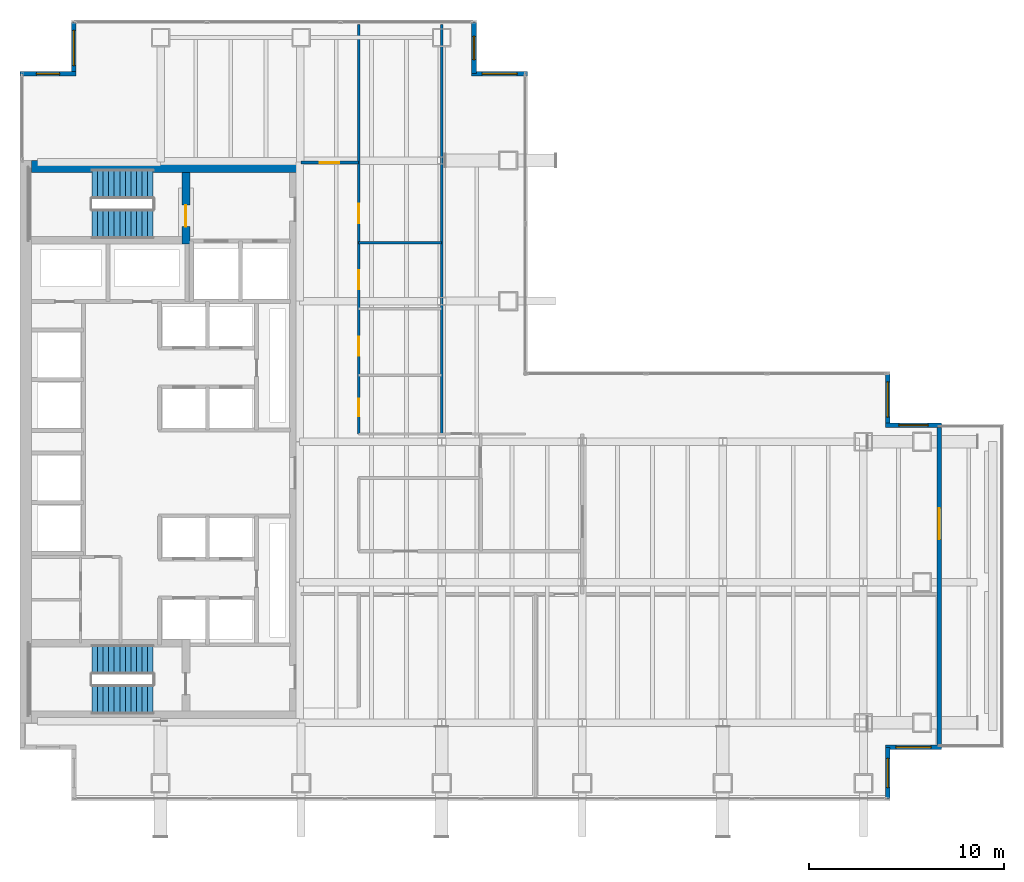
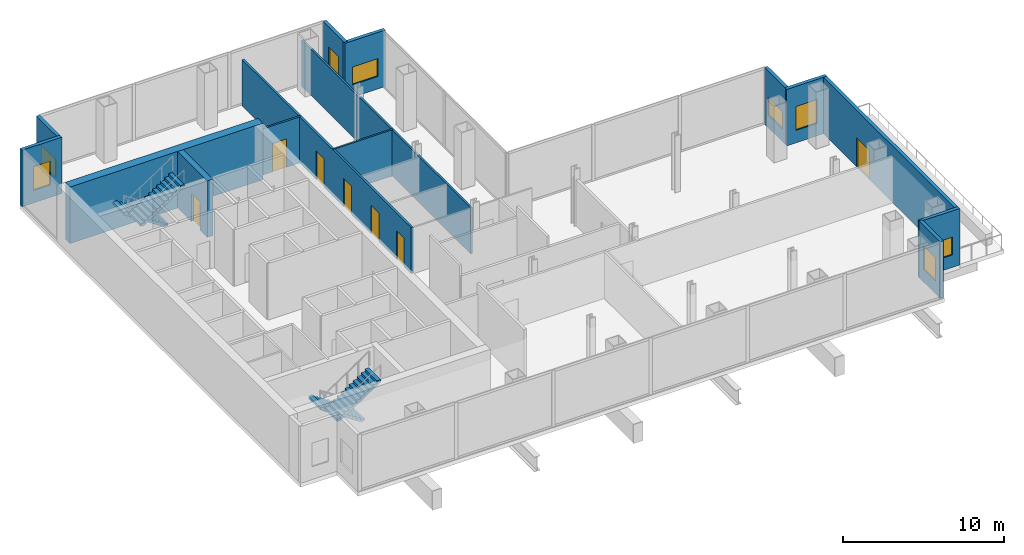
# One storey, part 15 of 16: 15 walls, 8 windows, 7 doors, 4 stair flights, 15 openings, 2 elements without a shape of their own.
"""IFC4 building model written with IfcOpenShell, lengths in metres."""

from ifc_helpers import new_model, si_unit, direction, frame, frame_2d, origin, place, context, subcontext, project, spatial, polyline, rectangle, outline, extrude, material, layer, layer_set, type_object, element, fill, aggregate, save


model = new_model("IFC4")

# Units and contexts
model_context = context("Model", 3, precision=1e-05, world=origin(), true_north=direction((0.0, 1.0)))
body_context = subcontext(model_context, "Body", "Model", "MODEL_VIEW")
ifc_project = project(units=[si_unit("LENGTHUNIT", "METRE"), si_unit("AREAUNIT", "SQUARE_METRE"), si_unit("VOLUMEUNIT", "CUBIC_METRE"), si_unit("PLANEANGLEUNIT", "RADIAN"), si_unit("MASSUNIT", "GRAM", prefix="KILO")], contexts=[model_context])

# Site, building, storey
site_placement = place(None, origin())
site = spatial("IfcSite", under=ifc_project, at=site_placement, CompositionType="ELEMENT")
building_placement = place(site_placement, origin())
building = spatial("IfcBuilding", under=site, at=building_placement, Name="Cobrela Telecom Tower", CompositionType="ELEMENT")
storey_placement = place(building_placement, frame((0.0, 0.0, 97.64990234375)))
storey = spatial("IfcBuildingStorey", under=building, at=storey_placement, Name="L24", CompositionType="ELEMENT", Elevation=97.64990234375)

# Wall
ifc_material_1 = material(Name="Concrete C50/60", Category="concrete")
ifc_layer_1 = layer(ifc_material_1, 0.60009765625)
ifc_layer_set_1 = layer_set([ifc_layer_1], Name="Concrete C50/60")
wall_type_1 = type_object("IfcWallType", Name="WALL-CORE-C50-600", PredefinedType="SHEAR", material=ifc_layer_set_1)
wall_1_placement = place(storey_placement, frame((0.60009765625, 35.699951171875, 0.0), z_axis=(0.0, 0.0, 1.0), x_axis=(1.0, 0.0, 0.0)))
element("IfcWall", 1, at=wall_1_placement, inside=storey, type_object=wall_type_1, Name="L24 North Core Shear Wall", PredefinedType="SHEAR", context=body_context, shape_type="SweptSolid", body=[
    extrude(rectangle(XDim=13.7998046875, YDim=0.60009765625, at=frame_2d((6.89990234375, 0.0))), origin(), (0.0, 0.0, 1.0), 4.280029296875),
])

# Wall, opening, window
ifc_material_2 = material(Name="Concrete C40/50", Category="concrete")
ifc_layer_2 = layer(ifc_material_2, 0.239990234375)
ifc_layer_set_2 = layer_set([ifc_layer_2], Name="Concrete C40/50")
wall_type_2 = type_object("IfcWallType", Name="WALL-EXT-300", PredefinedType="STANDARD", material=ifc_layer_set_2)
wall_2_placement = place(storey_placement, frame((0.0, 40.449951171875, 0.0), z_axis=(0.0, 0.0, 1.0), x_axis=(1.0, 0.0, 0.0)))
wall_2 = element("IfcWall", 2, at=wall_2_placement, inside=storey, type_object=wall_type_2, Name="L24 Insulated Facade Wall 05", PredefinedType="STANDARD", context=body_context, shape_type="SweptSolid", body=[
    extrude(rectangle(XDim=2.8701171875, YDim=0.239990234375, at=frame_2d((1.43505859375, 0.0))), origin(), (0.0, 0.0, 1.0), 4.280029296875),
])
opening_1_placement = place(wall_2_placement, frame((0.8349609375, 0.0, 0.949951171875)))
opening_1 = element("IfcOpeningElement", 3, at=opening_1_placement, cuts=wall_2, Name="Opening WN-19", PredefinedType="OPENING", context=body_context, shape_type="SweptSolid", body=[
    extrude(rectangle(XDim=1.199951171875, YDim=1.800048828125, at=frame_2d((0.60009765625, 0.89990234375))), frame((0.0, 0.1318359375, 0.0), z_axis=(0.0, -1.0, 0.0), x_axis=(1.0, 0.0, 0.0)), (0.0, 0.0, 1.0), 0.263916015625),
])
ifc_material_3 = material(Name="Solar-Control Bronze Low-E Glass", Category="glass")
window_type_1 = type_object("IfcWindowType", Name="WIN-MOD-1200", PartitioningType="SINGLE_PANEL", PredefinedType="WINDOW", material=ifc_material_3)
window_1_placement = place(opening_1_placement, origin())
window_1 = element("IfcWindow", 4, at=window_1_placement, inside=storey, type_object=window_type_1, Name="L24 Corner Notch Facade Window 112", OverallHeight=1.800048828125, OverallWidth=1.199951171875, PartitioningType="SINGLE_PANEL", PredefinedType="WINDOW", context=body_context, shape_type="SweptSolid", body=[
    extrude(rectangle(XDim=1.199951171875, YDim=1.800048828125, at=frame_2d((0.60009765625, 0.89990234375))), frame((0.0, 0.030029296875, 0.0), z_axis=(0.0, -1.0, 0.0), x_axis=(1.0, 0.0, 0.0)), (0.0, 0.0, 1.0), 0.06005859375),
])
fill(opening_1, window_1)

wall_3_placement = place(storey_placement, frame((2.75, 40.449951171875, 0.0), z_axis=(0.0, 0.0, 1.0), x_axis=(0.0, 1.0, 0.0)))
wall_3 = element("IfcWall", 5, at=wall_3_placement, inside=storey, type_object=wall_type_2, Name="L24 Insulated Facade Wall 06", PredefinedType="STANDARD", context=body_context, shape_type="SweptSolid", body=[
    extrude(rectangle(XDim=2.630126953125, YDim=0.239990234375, at=frame_2d((1.31494140625, 0.0))), origin(), (0.0, 0.0, 1.0), 4.280029296875),
])
opening_2_placement = place(wall_3_placement, frame((0.4150390625, 0.0, 0.949951171875)))
opening_2 = element("IfcOpeningElement", 6, at=opening_2_placement, cuts=wall_3, Name="Opening WN-27", PredefinedType="OPENING", context=body_context, shape_type="SweptSolid", body=[
    extrude(rectangle(XDim=1.800048828125, YDim=1.35009765625, at=frame_2d((0.89990234375, 0.675048828125))), frame((0.0, 0.1318359375, 0.0), z_axis=(0.0, -1.0, 0.0), x_axis=(1.0, 0.0, 0.0)), (0.0, 0.0, 1.0), 0.263916015625),
])
window_type_2 = type_object("IfcWindowType", Name="WIN-CLER-1800", PartitioningType="SINGLE_PANEL", PredefinedType="WINDOW", material=ifc_material_3)
window_2_placement = place(opening_2_placement, origin())
window_2 = element("IfcWindow", 7, at=window_2_placement, inside=storey, type_object=window_type_2, Name="L24 Corner Notch Facade Window 113", OverallHeight=1.35009765625, OverallWidth=1.800048828125, PartitioningType="SINGLE_PANEL", PredefinedType="WINDOW", context=body_context, shape_type="SweptSolid", body=[
    extrude(rectangle(XDim=1.800048828125, YDim=1.35009765625, at=frame_2d((0.89990234375, 0.675048828125))), frame((0.0, 0.030029296875, 0.0), z_axis=(0.0, -1.0, 0.0), x_axis=(1.0, 0.0, 0.0)), (0.0, 0.0, 1.0), 0.06005859375),
])
fill(opening_2, window_2)

wall_4_placement = place(storey_placement, frame((23.25, 43.080078125, 0.0), z_axis=(0.0, 0.0, 1.0), x_axis=(0.0, -1.0, 0.0)))
wall_4 = element("IfcWall", 8, at=wall_4_placement, inside=storey, type_object=wall_type_2, Name="L24 Insulated Facade Wall 08", PredefinedType="STANDARD", context=body_context, shape_type="SweptSolid", body=[
    extrude(rectangle(XDim=2.630126953125, YDim=0.239990234375, at=frame_2d((1.31494140625, 0.0))), origin(), (0.0, 0.0, 1.0), 4.280029296875),
])
opening_3_placement = place(wall_4_placement, frame((0.715087890625, 0.0, 0.949951171875)))
opening_3 = element("IfcOpeningElement", 9, at=opening_3_placement, cuts=wall_4, Name="Opening WN-19", PredefinedType="OPENING", context=body_context, shape_type="SweptSolid", body=[
    extrude(rectangle(XDim=1.199951171875, YDim=1.800048828125, at=frame_2d((0.60009765625, 0.89990234375))), frame((0.0, 0.1318359375, 0.0), z_axis=(0.0, -1.0, 0.0), x_axis=(1.0, 0.0, 0.0)), (0.0, 0.0, 1.0), 0.263916015625),
])
window_3_placement = place(opening_3_placement, origin())
window_3 = element("IfcWindow", 10, at=window_3_placement, inside=storey, type_object=window_type_1, Name="L24 Corner Notch Facade Window 114", OverallHeight=1.800048828125, OverallWidth=1.199951171875, PartitioningType="SINGLE_PANEL", PredefinedType="WINDOW", context=body_context, shape_type="SweptSolid", body=[
    extrude(rectangle(XDim=1.199951171875, YDim=1.800048828125, at=frame_2d((0.60009765625, 0.89990234375))), frame((0.0, 0.030029296875, 0.0), z_axis=(0.0, -1.0, 0.0), x_axis=(1.0, 0.0, 0.0)), (0.0, 0.0, 1.0), 0.06005859375),
])
fill(opening_3, window_3)

wall_5_placement = place(storey_placement, frame((23.1298828125, 40.449951171875, 0.0), z_axis=(0.0, 0.0, 1.0), x_axis=(1.0, 0.0, 0.0)))
wall_5 = element("IfcWall", 11, at=wall_5_placement, inside=storey, type_object=wall_type_2, Name="L24 Insulated Facade Wall 09", PredefinedType="STANDARD", context=body_context, shape_type="SweptSolid", body=[
    extrude(rectangle(XDim=2.8701171875, YDim=0.239990234375, at=frame_2d((1.43505859375, 0.0))), origin(), (0.0, 0.0, 1.0), 4.280029296875),
])
opening_4_placement = place(wall_5_placement, frame((0.534912109375, 0.0, 0.949951171875)))
opening_4 = element("IfcOpeningElement", 12, at=opening_4_placement, cuts=wall_5, Name="Opening WN-27", PredefinedType="OPENING", context=body_context, shape_type="SweptSolid", body=[
    extrude(rectangle(XDim=1.800048828125, YDim=1.35009765625, at=frame_2d((0.89990234375, 0.675048828125))), frame((0.0, 0.1318359375, 0.0), z_axis=(0.0, -1.0, 0.0), x_axis=(1.0, 0.0, 0.0)), (0.0, 0.0, 1.0), 0.263916015625),
])
window_4_placement = place(opening_4_placement, origin())
window_4 = element("IfcWindow", 13, at=window_4_placement, inside=storey, type_object=window_type_2, Name="L24 Corner Notch Facade Window 115", OverallHeight=1.35009765625, OverallWidth=1.800048828125, PartitioningType="SINGLE_PANEL", PredefinedType="WINDOW", context=body_context, shape_type="SweptSolid", body=[
    extrude(rectangle(XDim=1.800048828125, YDim=1.35009765625, at=frame_2d((0.89990234375, 0.675048828125))), frame((0.0, 0.030029296875, 0.0), z_axis=(0.0, -1.0, 0.0), x_axis=(1.0, 0.0, 0.0)), (0.0, 0.0, 1.0), 0.06005859375),
])
fill(opening_4, window_4)

wall_6_placement = place(storey_placement, frame((44.449951171875, 25.080078125, 0.0), z_axis=(0.0, 0.0, 1.0), x_axis=(0.0, -1.0, 0.0)))
wall_6 = element("IfcWall", 14, at=wall_6_placement, inside=storey, type_object=wall_type_2, Name="L24 Insulated Facade Wall 12", PredefinedType="STANDARD", context=body_context, shape_type="SweptSolid", body=[
    extrude(rectangle(XDim=2.630126953125, YDim=0.239990234375, at=frame_2d((1.31494140625, 0.0))), origin(), (0.0, 0.0, 1.0), 4.280029296875),
])
opening_5_placement = place(wall_6_placement, frame((0.4150390625, 0.0, 0.949951171875)))
opening_5 = element("IfcOpeningElement", 15, at=opening_5_placement, cuts=wall_6, Name="Opening WN-27", PredefinedType="OPENING", context=body_context, shape_type="SweptSolid", body=[
    extrude(rectangle(XDim=1.800048828125, YDim=1.35009765625, at=frame_2d((0.89990234375, 0.675048828125))), frame((0.0, 0.1318359375, 0.0), z_axis=(0.0, -1.0, 0.0), x_axis=(1.0, 0.0, 0.0)), (0.0, 0.0, 1.0), 0.263916015625),
])
window_5_placement = place(opening_5_placement, origin())
window_5 = element("IfcWindow", 16, at=window_5_placement, inside=storey, type_object=window_type_2, Name="L24 Corner Notch Facade Window 116", OverallHeight=1.35009765625, OverallWidth=1.800048828125, PartitioningType="SINGLE_PANEL", PredefinedType="WINDOW", context=body_context, shape_type="SweptSolid", body=[
    extrude(rectangle(XDim=1.800048828125, YDim=1.35009765625, at=frame_2d((0.89990234375, 0.675048828125))), frame((0.0, 0.030029296875, 0.0), z_axis=(0.0, -1.0, 0.0), x_axis=(1.0, 0.0, 0.0)), (0.0, 0.0, 1.0), 0.06005859375),
])
fill(opening_5, window_5)

wall_7_placement = place(storey_placement, frame((44.330078125, 22.449951171875, 0.0), z_axis=(0.0, 0.0, 1.0), x_axis=(1.0, 0.0, 0.0)))
wall_7 = element("IfcWall", 17, at=wall_7_placement, inside=storey, type_object=wall_type_2, Name="L24 Insulated Facade Wall 13", PredefinedType="STANDARD", context=body_context, shape_type="SweptSolid", body=[
    extrude(rectangle(XDim=2.869873046875, YDim=0.239990234375, at=frame_2d((1.43505859375, 0.0))), origin(), (0.0, 0.0, 1.0), 4.280029296875),
])
opening_6_placement = place(wall_7_placement, frame((0.68505859375, 0.0, 0.949951171875)))
opening_6 = element("IfcOpeningElement", 18, at=opening_6_placement, cuts=wall_7, Name="Opening WN-45", PredefinedType="OPENING", context=body_context, shape_type="SweptSolid", body=[
    extrude(rectangle(XDim=1.5, YDim=1.800048828125, at=frame_2d((0.75, 0.89990234375))), frame((0.0, 0.1318359375, 0.0), z_axis=(0.0, -1.0, 0.0), x_axis=(1.0, 0.0, 0.0)), (0.0, 0.0, 1.0), 0.263916015625),
])
window_type_3 = type_object("IfcWindowType", Name="WIN-MOD-1500", PartitioningType="SINGLE_PANEL", PredefinedType="WINDOW", material=ifc_material_3)
window_6_placement = place(opening_6_placement, origin())
window_6 = element("IfcWindow", 19, at=window_6_placement, inside=storey, type_object=window_type_3, Name="L24 Corner Notch Facade Window 117", OverallHeight=1.800048828125, OverallWidth=1.5, PartitioningType="SINGLE_PANEL", PredefinedType="WINDOW", context=body_context, shape_type="SweptSolid", body=[
    extrude(rectangle(XDim=1.5, YDim=1.800048828125, at=frame_2d((0.75, 0.89990234375))), frame((0.0, 0.030029296875, 0.0), z_axis=(0.0, -1.0, 0.0), x_axis=(1.0, 0.0, 0.0)), (0.0, 0.0, 1.0), 0.06005859375),
])
fill(opening_6, window_6)

# Wall, opening, door
wall_8_placement = place(storey_placement, frame((47.080078125, 22.449951171875, 0.0), z_axis=(0.0, 0.0, 1.0), x_axis=(0.0, -1.0, 0.0)))
wall_8 = element("IfcWall", 20, at=wall_8_placement, inside=storey, type_object=wall_type_2, Name="L24 Insulated Facade Wall 14", PredefinedType="STANDARD", context=body_context, shape_type="SweptSolid", body=[
    extrude(rectangle(XDim=16.5, YDim=0.239990234375, at=frame_2d((8.25, 0.0))), origin(), (0.0, 0.0, 1.0), 4.280029296875),
])
opening_7_placement = place(wall_8_placement, frame((4.25, 0.0, 0.0)))
opening_7 = element("IfcOpeningElement", 21, at=opening_7_placement, cuts=wall_8, Name="Opening ED-2", PredefinedType="OPENING", context=body_context, shape_type="SweptSolid", body=[
    extrude(rectangle(XDim=1.60009765625, YDim=2.199951171875, at=frame_2d((0.800048828125, 1.10009765625))), frame((0.0, 0.1318359375, 0.0), z_axis=(0.0, -1.0, 0.0), x_axis=(1.0, 0.0, 0.0)), (0.0, 0.0, 1.0), 0.263916015625),
])
ifc_material_4 = material(Name="Anodized Bronze Aluminium 6063-T6", Category="aluminium")
door_type_1 = type_object("IfcDoorType", Name="DOOR-EXT-TERR-1600", OperationType="SINGLE_SWING_LEFT", PredefinedType="DOOR", material=ifc_material_4)
door_1_placement = place(opening_7_placement, origin())
door_1 = element("IfcDoor", 22, at=door_1_placement, inside=storey, type_object=door_type_1, Name="L24 Door ED-2", OperationType="DOUBLE_DOOR_SINGLE_SWING", OverallHeight=2.199951171875, OverallWidth=1.60009765625, PredefinedType="DOOR", context=body_context, shape_type="SweptSolid", body=[
    extrude(rectangle(XDim=1.60009765625, YDim=2.199951171875, at=frame_2d((0.800048828125, 1.10009765625))), frame((0.0, 0.02490234375, 0.0), z_axis=(0.0, -1.0, 0.0), x_axis=(1.0, 0.0, 0.0)), (0.0, 0.0, 1.0), 0.050048828125),
])
fill(opening_7, door_1)

# Wall, opening, window
wall_9_placement = place(storey_placement, frame((47.199951171875, 5.949951171875, 0.0), z_axis=(0.0, 0.0, 1.0), x_axis=(-1.0, 0.0, 0.0)))
wall_9 = element("IfcWall", 23, at=wall_9_placement, inside=storey, type_object=wall_type_2, Name="L24 Insulated Facade Wall 15", PredefinedType="STANDARD", context=body_context, shape_type="SweptSolid", body=[
    extrude(rectangle(XDim=2.869873046875, YDim=0.239990234375, at=frame_2d((1.43505859375, 0.0))), origin(), (0.0, 0.0, 1.0), 4.280029296875),
])
opening_8_placement = place(wall_9_placement, frame((0.534912109375, 0.0, 0.949951171875)))
opening_8 = element("IfcOpeningElement", 24, at=opening_8_placement, cuts=wall_9, Name="Opening WN-27", PredefinedType="OPENING", context=body_context, shape_type="SweptSolid", body=[
    extrude(rectangle(XDim=1.800048828125, YDim=1.35009765625, at=frame_2d((0.89990234375, 0.675048828125))), frame((0.0, 0.1318359375, 0.0), z_axis=(0.0, -1.0, 0.0), x_axis=(1.0, 0.0, 0.0)), (0.0, 0.0, 1.0), 0.263916015625),
])
window_7_placement = place(opening_8_placement, origin())
window_7 = element("IfcWindow", 25, at=window_7_placement, inside=storey, type_object=window_type_2, Name="L24 Corner Notch Facade Window 118", OverallHeight=1.35009765625, OverallWidth=1.800048828125, PartitioningType="SINGLE_PANEL", PredefinedType="WINDOW", context=body_context, shape_type="SweptSolid", body=[
    extrude(rectangle(XDim=1.800048828125, YDim=1.35009765625, at=frame_2d((0.89990234375, 0.675048828125))), frame((0.0, 0.030029296875, 0.0), z_axis=(0.0, -1.0, 0.0), x_axis=(1.0, 0.0, 0.0)), (0.0, 0.0, 1.0), 0.06005859375),
])
fill(opening_8, window_7)

wall_10_placement = place(storey_placement, frame((44.449951171875, 5.949951171875, 0.0), z_axis=(0.0, 0.0, 1.0), x_axis=(0.0, -1.0, 0.0)))
wall_10 = element("IfcWall", 26, at=wall_10_placement, inside=storey, type_object=wall_type_2, Name="L24 Insulated Facade Wall 16", PredefinedType="STANDARD", context=body_context, shape_type="SweptSolid", body=[
    extrude(rectangle(XDim=2.6298828125, YDim=0.239990234375, at=frame_2d((1.31494140625, 0.0))), origin(), (0.0, 0.0, 1.0), 4.280029296875),
])
opening_9_placement = place(wall_10_placement, frame((0.56494140625, 0.0, 0.949951171875)))
opening_9 = element("IfcOpeningElement", 27, at=opening_9_placement, cuts=wall_10, Name="Opening WN-45", PredefinedType="OPENING", context=body_context, shape_type="SweptSolid", body=[
    extrude(rectangle(XDim=1.5, YDim=1.800048828125, at=frame_2d((0.75, 0.89990234375))), frame((0.0, 0.1318359375, 0.0), z_axis=(0.0, -1.0, 0.0), x_axis=(1.0, 0.0, 0.0)), (0.0, 0.0, 1.0), 0.263916015625),
])
window_8_placement = place(opening_9_placement, origin())
window_8 = element("IfcWindow", 28, at=window_8_placement, inside=storey, type_object=window_type_3, Name="L24 Corner Notch Facade Window 119", OverallHeight=1.800048828125, OverallWidth=1.5, PartitioningType="SINGLE_PANEL", PredefinedType="WINDOW", context=body_context, shape_type="SweptSolid", body=[
    extrude(rectangle(XDim=1.5, YDim=1.800048828125, at=frame_2d((0.75, 0.89990234375))), frame((0.0, 0.030029296875, 0.0), z_axis=(0.0, -1.0, 0.0), x_axis=(1.0, 0.0, 0.0)), (0.0, 0.0, 1.0), 0.06005859375),
])
fill(opening_9, window_8)

# Wall
ifc_material_5 = material(Name="Fire-Rated Gypsum Plasterboard")
ifc_layer_3 = layer(ifc_material_5, 0.125)
ifc_layer_set_3 = layer_set([ifc_layer_3], Name="Fire-Rated Gypsum Plasterboard")
wall_type_3 = type_object("IfcWallType", Name="WALL-PART-125", PredefinedType="PARTITIONING", material=ifc_layer_set_3)
wall_11_placement = place(storey_placement, frame((17.35009765625, 31.800048828125, 0.0), z_axis=(0.0, 0.0, 1.0), x_axis=(1.0, 0.0, 0.0)))
element("IfcWall", 29, at=wall_11_placement, inside=storey, type_object=wall_type_3, Name="L24 Interior Partition W-SKWC-3", PredefinedType="PARTITIONING", context=body_context, shape_type="SweptSolid", body=[
    extrude(rectangle(XDim=4.25, YDim=0.125, at=frame_2d((2.125, 0.0))), origin(), (0.0, 0.0, 1.0), 3.4931640625),
])

# Wall, opening, door
ifc_layer_4 = layer(ifc_material_5, 0.135009765625)
ifc_layer_set_4 = layer_set([ifc_layer_4], Name="Fire-Rated Gypsum Plasterboard")
wall_type_4 = type_object("IfcWallType", Name="WALL-PART-135", PredefinedType="PARTITIONING", material=ifc_layer_set_4)
wall_12_placement = place(storey_placement, frame((14.39990234375, 35.89990234375, 0.0), z_axis=(0.0, 0.0, 1.0), x_axis=(1.0, 0.0, 0.0)))
wall_12 = element("IfcWall", 30, at=wall_12_placement, inside=storey, type_object=wall_type_4, Name="L24 Interior Partition W-SKY-N0", PredefinedType="PARTITIONING", context=body_context, shape_type="SweptSolid", body=[
    extrude(rectangle(XDim=2.9501953125, YDim=0.135009765625, at=frame_2d((1.47509765625, 0.0))), origin(), (0.0, 0.0, 1.0), 3.4931640625),
])
opening_10_placement = place(wall_12_placement, frame((0.949951171875, 0.0, 0.0)))
opening_10 = element("IfcOpeningElement", 31, at=opening_10_placement, cuts=wall_12, Name="Opening DR-31", PredefinedType="OPENING", context=body_context, shape_type="SweptSolid", body=[
    extrude(rectangle(XDim=1.0, YDim=2.14990234375, at=frame_2d((0.5, 1.074951171875))), frame((0.0, 0.07958984375, 0.0), z_axis=(0.0, -1.0, 0.0), x_axis=(1.0, 0.0, 0.0)), (0.0, 0.0, 1.0), 0.158935546875),
])
ifc_material_6 = material(Name="Solid Engineered Oak Timber", Category="wood")
door_type_2 = type_object("IfcDoorType", Name="DOOR-INT-1000", OperationType="SINGLE_SWING_LEFT", PredefinedType="DOOR", material=ifc_material_6)
door_2_placement = place(opening_10_placement, origin())
door_2 = element("IfcDoor", 32, at=door_2_placement, inside=storey, type_object=door_type_2, Name="L24 Door DR-31", OperationType="SINGLE_SWING_LEFT", OverallHeight=2.14990234375, OverallWidth=1.0, PredefinedType="DOOR", context=body_context, shape_type="SweptSolid", body=[
    extrude(rectangle(XDim=1.0, YDim=2.14990234375, at=frame_2d((0.5, 1.074951171875))), frame((0.0, 0.02490234375, 0.0), z_axis=(0.0, -1.0, 0.0), x_axis=(1.0, 0.0, 0.0)), (0.0, 0.0, 1.0), 0.050048828125),
])
fill(opening_10, door_2)

# Wall
wall_13_placement = place(storey_placement, frame((21.60009765625, 22.0, 0.0), z_axis=(0.0, 0.0, 1.0), x_axis=(0.0, 1.0, 0.0)))
element("IfcWall", 33, at=wall_13_placement, inside=storey, type_object=wall_type_4, Name="L24 Interior Partition W-SKWC-E", PredefinedType="PARTITIONING", context=body_context, shape_type="SweptSolid", body=[
    extrude(rectangle(XDim=20.9599609375, YDim=0.135009765625, at=frame_2d((10.47998046875, 0.0))), origin(), (0.0, 0.0, 1.0), 3.4931640625),
])

# Wall, openings, doors
ifc_layer_5 = layer(ifc_material_5, 0.14990234375)
ifc_layer_set_5 = layer_set([ifc_layer_5], Name="Fire-Rated Gypsum Plasterboard")
wall_type_5 = type_object("IfcWallType", Name="WALL-PART-150", PredefinedType="PARTITIONING", material=ifc_layer_set_5)
wall_14_placement = place(storey_placement, frame((17.35009765625, 22.0, 0.0), z_axis=(0.0, 0.0, 1.0), x_axis=(0.0, 1.0, 0.0)))
wall_14 = element("IfcWall", 34, at=wall_14_placement, inside=storey, type_object=wall_type_5, Name="L24 Interior Partition W-SKY-W", PredefinedType="PARTITIONING", context=body_context, shape_type="SweptSolid", body=[
    extrude(rectangle(XDim=20.9599609375, YDim=0.14990234375, at=frame_2d((10.47998046875, 0.0))), origin(), (0.0, 0.0, 1.0), 3.4931640625),
])
opening_11_placement = place(wall_14_placement, frame((0.89990234375, 0.0, 0.0)))
opening_11 = element("IfcOpeningElement", 35, at=opening_11_placement, cuts=wall_14, Name="Opening DR-41", PredefinedType="OPENING", context=body_context, shape_type="SweptSolid", body=[
    extrude(rectangle(XDim=0.89990234375, YDim=2.14990234375, at=frame_2d((0.449951171875, 1.074951171875))), frame((0.0, 0.0869140625, 0.0), z_axis=(0.0, -1.0, 0.0), x_axis=(1.0, 0.0, 0.0)), (0.0, 0.0, 1.0), 0.173828125),
])
opening_12_placement = place(wall_14_placement, frame((4.0, 0.0, 0.0)))
opening_12 = element("IfcOpeningElement", 36, at=opening_12_placement, cuts=wall_14, Name="Opening DR-17", PredefinedType="OPENING", context=body_context, shape_type="SweptSolid", body=[
    extrude(rectangle(XDim=0.97998046875, YDim=2.14990234375, at=frame_2d((0.489990234375, 1.074951171875))), frame((0.0, 0.0869140625, 0.0), z_axis=(0.0, -1.0, 0.0), x_axis=(1.0, 0.0, 0.0)), (0.0, 0.0, 1.0), 0.173828125),
])
opening_13_placement = place(wall_14_placement, frame((7.39990234375, 0.0, 0.0)))
opening_13 = element("IfcOpeningElement", 37, at=opening_13_placement, cuts=wall_14, Name="Opening DR-17", PredefinedType="OPENING", context=body_context, shape_type="SweptSolid", body=[
    extrude(rectangle(XDim=0.97998046875, YDim=2.14990234375, at=frame_2d((0.489990234375, 1.074951171875))), frame((0.0, 0.0869140625, 0.0), z_axis=(0.0, -1.0, 0.0), x_axis=(1.0, 0.0, 0.0)), (0.0, 0.0, 1.0), 0.173828125),
])
opening_14_placement = place(wall_14_placement, frame((10.800048828125, 0.0, 0.0)))
opening_14 = element("IfcOpeningElement", 38, at=opening_14_placement, cuts=wall_14, Name="Opening DR-17", PredefinedType="OPENING", context=body_context, shape_type="SweptSolid", body=[
    extrude(rectangle(XDim=0.97998046875, YDim=2.14990234375, at=frame_2d((0.489990234375, 1.074951171875))), frame((0.0, 0.0869140625, 0.0), z_axis=(0.0, -1.0, 0.0), x_axis=(1.0, 0.0, 0.0)), (0.0, 0.0, 1.0), 0.173828125),
])
door_type_3 = type_object("IfcDoorType", Name="DOOR-INT-900", OperationType="SINGLE_SWING_LEFT", PredefinedType="DOOR", material=ifc_material_6)
door_3_placement = place(opening_11_placement, origin())
door_3 = element("IfcDoor", 39, at=door_3_placement, inside=storey, type_object=door_type_3, Name="L24 Door DR-41", OperationType="SINGLE_SWING_LEFT", OverallHeight=2.14990234375, OverallWidth=0.89990234375, PredefinedType="DOOR", context=body_context, shape_type="SweptSolid", body=[
    extrude(rectangle(XDim=0.89990234375, YDim=2.14990234375, at=frame_2d((0.449951171875, 1.074951171875))), frame((0.0, 0.02490234375, 0.0), z_axis=(0.0, -1.0, 0.0), x_axis=(1.0, 0.0, 0.0)), (0.0, 0.0, 1.0), 0.050048828125),
])
fill(opening_11, door_3)
door_type_4 = type_object("IfcDoorType", Name="DOOR-INT-980", OperationType="SINGLE_SWING_LEFT", PredefinedType="DOOR", material=ifc_material_6)
door_4_placement = place(opening_12_placement, origin())
door_4 = element("IfcDoor", 40, at=door_4_placement, inside=storey, type_object=door_type_4, Name="L24 Door DR-17", OperationType="SINGLE_SWING_RIGHT", OverallHeight=2.14990234375, OverallWidth=0.97998046875, PredefinedType="DOOR", context=body_context, shape_type="SweptSolid", body=[
    extrude(rectangle(XDim=0.97998046875, YDim=2.14990234375, at=frame_2d((0.489990234375, 1.074951171875))), frame((0.0, 0.02490234375, 0.0), z_axis=(0.0, -1.0, 0.0), x_axis=(1.0, 0.0, 0.0)), (0.0, 0.0, 1.0), 0.050048828125),
])
fill(opening_12, door_4)
door_5_placement = place(opening_13_placement, origin())
door_5 = element("IfcDoor", 41, at=door_5_placement, inside=storey, type_object=door_type_4, Name="L24 Door DR-17", OperationType="SINGLE_SWING_LEFT", OverallHeight=2.14990234375, OverallWidth=0.97998046875, PredefinedType="DOOR", context=body_context, shape_type="SweptSolid", body=[
    extrude(rectangle(XDim=0.97998046875, YDim=2.14990234375, at=frame_2d((0.489990234375, 1.074951171875))), frame((0.0, 0.02490234375, 0.0), z_axis=(0.0, -1.0, 0.0), x_axis=(1.0, 0.0, 0.0)), (0.0, 0.0, 1.0), 0.050048828125),
])
fill(opening_13, door_5)
door_6_placement = place(opening_14_placement, origin())
door_6 = element("IfcDoor", 42, at=door_6_placement, inside=storey, type_object=door_type_4, Name="L24 Door DR-17", OperationType="SINGLE_SWING_RIGHT", OverallHeight=2.14990234375, OverallWidth=0.97998046875, PredefinedType="DOOR", context=body_context, shape_type="SweptSolid", body=[
    extrude(rectangle(XDim=0.97998046875, YDim=2.14990234375, at=frame_2d((0.489990234375, 1.074951171875))), frame((0.0, 0.02490234375, 0.0), z_axis=(0.0, -1.0, 0.0), x_axis=(1.0, 0.0, 0.0)), (0.0, 0.0, 1.0), 0.050048828125),
])
fill(opening_14, door_6)

# Wall, opening, door
ifc_layer_6 = layer(ifc_material_2, 0.39990234375)
ifc_layer_set_6 = layer_set([ifc_layer_6], Name="Concrete C40/50")
wall_type_6 = type_object("IfcWallType", Name="WALL-SHAFT-C40-400", PredefinedType="SHEAR", material=ifc_layer_set_6)
wall_15_placement = place(storey_placement, frame((8.5, 31.719970703125, 0.0), z_axis=(0.0, 0.0, 1.0), x_axis=(0.0, 1.0, 0.0)))
wall_15 = element("IfcWall", 43, at=wall_15_placement, inside=storey, type_object=wall_type_6, Name="L24 North Stair Lobby Shear Wall", PredefinedType="SHEAR", context=body_context, shape_type="SweptSolid", body=[
    extrude(rectangle(XDim=3.679931640625, YDim=0.39990234375, at=frame_2d((1.83984375, 0.0))), origin(), (0.0, 0.0, 1.0), 4.280029296875),
])
opening_15_placement = place(wall_15_placement, frame((0.89990234375, 0.0, 0.0)))
opening_15 = element("IfcOpeningElement", 44, at=opening_15_placement, cuts=wall_15, Name="Opening DR-59", PredefinedType="OPENING", context=body_context, shape_type="SweptSolid", body=[
    extrude(rectangle(XDim=1.10009765625, YDim=2.14990234375, at=frame_2d((0.550048828125, 1.074951171875))), frame((0.0, 0.2119140625, 0.0), z_axis=(0.0, -1.0, 0.0), x_axis=(1.0, 0.0, 0.0)), (0.0, 0.0, 1.0), 0.423828125),
])
ifc_material_7 = material(Name="Steel ASTM A36", Category="steel")
door_type_5 = type_object("IfcDoorType", Name="DOOR-FD60-1100", OperationType="SINGLE_SWING_LEFT", PredefinedType="DOOR", material=ifc_material_7)
door_7_placement = place(opening_15_placement, origin())
door_7 = element("IfcDoor", 45, at=door_7_placement, inside=storey, type_object=door_type_5, Name="L24 Door DR-59", OperationType="SINGLE_SWING_RIGHT", OverallHeight=2.14990234375, OverallWidth=1.10009765625, PredefinedType="DOOR", context=body_context, shape_type="SweptSolid", body=[
    extrude(rectangle(XDim=1.10009765625, YDim=2.14990234375, at=frame_2d((0.550048828125, 1.074951171875))), frame((0.0, 0.02490234375, 0.0), z_axis=(0.0, -1.0, 0.0), x_axis=(1.0, 0.0, 0.0)), (0.0, 0.0, 1.0), 0.050048828125),
])
fill(opening_15, door_7)

# Stair, stair flights
stair_type = type_object("IfcStairType", Name="STAIR-CORE", PredefinedType="HALF_TURN_STAIR", material=ifc_material_2)
stair_1_placement = place(storey_placement, origin())
stair_1 = element("IfcStair", 46, at=stair_1_placement, inside=storey, type_object=stair_type, Name="L24 Smokeproof Exit Stair ST1", PredefinedType="HALF_TURN_STAIR")
stair_flight_type = type_object("IfcStairFlightType", Name="FLIGHT-CORE", PredefinedType="STRAIGHT", material=ifc_material_2)
stair_flight_1_placement = place(storey_placement, frame((6.820068359375, 34.800048828125, 0.0), z_axis=(0.0, 0.0, 1.0), x_axis=(-1.0, 0.0, 0.0)))
stair_flight_1 = element("IfcStairFlight", 47, at=stair_flight_1_placement, type_object=stair_flight_type, Name="ST1 flight 1", NumberOfRisers=12, NumberOfTreads=11, PredefinedType="STRAIGHT", RiserHeight=0.189583333, TreadLength=0.285, context=body_context, shape_type="SweptSolid", body=[
    extrude(outline(polyline([(0.0, 0.0), (0.0, 0.189697265625), (0.284912109375, 0.189697265625), (0.284912109375, 0.379150390625), (0.570068359375, 0.379150390625), (0.570068359375, 0.56884765625), (0.85498046875, 0.56884765625), (0.85498046875, 0.75830078125), (1.139892578125, 0.75830078125), (1.139892578125, 0.947998046875), (1.425048828125, 0.947998046875), (1.425048828125, 1.137451171875), (1.7099609375, 1.137451171875), (1.7099609375, 1.3271484375), (1.9951171875, 1.3271484375), (1.9951171875, 1.5166015625), (2.280029296875, 1.5166015625), (2.280029296875, 1.706298828125), (2.56494140625, 1.706298828125), (2.56494140625, 1.895751953125), (2.85009765625, 1.895751953125), (2.85009765625, 2.08544921875), (3.135009765625, 2.08544921875), (3.135009765625, 2.27490234375), (3.135009765625, 1.9052734375), (0.270751953125, 0.0), (0.0, 0.0)])), frame((0.0, 0.75, 0.0), z_axis=(0.0, -1.0, 0.0), x_axis=(1.0, 0.0, 0.0)), (0.0, 0.0, 1.0), 1.5),
])
stair_flight_2_placement = place(storey_placement, frame((3.68505859375, 32.75, 2.275146484375), z_axis=(0.0, 0.0, 1.0), x_axis=(1.0, 0.0, 0.0)))
stair_flight_2 = element("IfcStairFlight", 48, at=stair_flight_2_placement, type_object=stair_flight_type, Name="ST1 flight 2", NumberOfRisers=12, NumberOfTreads=11, PredefinedType="STRAIGHT", RiserHeight=0.189583333, TreadLength=0.285, context=body_context, shape_type="SweptSolid", body=[
    extrude(outline(polyline([(0.0, 0.0), (0.0, 0.189697265625), (0.284912109375, 0.189697265625), (0.284912109375, 0.379150390625), (0.570068359375, 0.379150390625), (0.570068359375, 0.56884765625), (0.85498046875, 0.56884765625), (0.85498046875, 0.75830078125), (1.139892578125, 0.75830078125), (1.139892578125, 0.947998046875), (1.425048828125, 0.947998046875), (1.425048828125, 1.137451171875), (1.7099609375, 1.137451171875), (1.7099609375, 1.3271484375), (1.9951171875, 1.3271484375), (1.9951171875, 1.5166015625), (2.280029296875, 1.5166015625), (2.280029296875, 1.706298828125), (2.56494140625, 1.706298828125), (2.56494140625, 1.895751953125), (2.85009765625, 1.895751953125), (2.85009765625, 2.08544921875), (3.135009765625, 2.08544921875), (3.135009765625, 2.27490234375), (3.135009765625, 1.9052734375), (0.270751953125, 0.0), (0.0, 0.0)])), frame((0.0, 0.75, 0.0), z_axis=(0.0, -1.0, 0.0), x_axis=(1.0, 0.0, 0.0)), (0.0, 0.0, 1.0), 1.5),
])
aggregate(stair_1, [stair_flight_1, stair_flight_2])

stair_2_placement = place(storey_placement, origin())
stair_2 = element("IfcStair", 49, at=stair_2_placement, inside=storey, type_object=stair_type, Name="L24 Smokeproof Exit Stair ST2", PredefinedType="HALF_TURN_STAIR")
stair_flight_3_placement = place(storey_placement, frame((6.820068359375, 10.449951171875, 0.0), z_axis=(0.0, 0.0, 1.0), x_axis=(-1.0, 0.0, 0.0)))
stair_flight_3 = element("IfcStairFlight", 50, at=stair_flight_3_placement, type_object=stair_flight_type, Name="ST2 flight 1", NumberOfRisers=12, NumberOfTreads=11, PredefinedType="STRAIGHT", RiserHeight=0.189583333, TreadLength=0.285, context=body_context, shape_type="SweptSolid", body=[
    extrude(outline(polyline([(0.0, 0.0), (0.0, 0.189697265625), (0.284912109375, 0.189697265625), (0.284912109375, 0.379150390625), (0.570068359375, 0.379150390625), (0.570068359375, 0.56884765625), (0.85498046875, 0.56884765625), (0.85498046875, 0.75830078125), (1.139892578125, 0.75830078125), (1.139892578125, 0.947998046875), (1.425048828125, 0.947998046875), (1.425048828125, 1.137451171875), (1.7099609375, 1.137451171875), (1.7099609375, 1.3271484375), (1.9951171875, 1.3271484375), (1.9951171875, 1.5166015625), (2.280029296875, 1.5166015625), (2.280029296875, 1.706298828125), (2.56494140625, 1.706298828125), (2.56494140625, 1.895751953125), (2.85009765625, 1.895751953125), (2.85009765625, 2.08544921875), (3.135009765625, 2.08544921875), (3.135009765625, 2.27490234375), (3.135009765625, 1.9052734375), (0.270751953125, 0.0), (0.0, 0.0)])), frame((0.0, 0.75, 0.0), z_axis=(0.0, -1.0, 0.0), x_axis=(1.0, 0.0, 0.0)), (0.0, 0.0, 1.0), 1.5),
])
stair_flight_4_placement = place(storey_placement, frame((3.68505859375, 8.39990234375, 2.275146484375), z_axis=(0.0, 0.0, 1.0), x_axis=(1.0, 0.0, 0.0)))
stair_flight_4 = element("IfcStairFlight", 51, at=stair_flight_4_placement, type_object=stair_flight_type, Name="ST2 flight 2", NumberOfRisers=12, NumberOfTreads=11, PredefinedType="STRAIGHT", RiserHeight=0.189583333, TreadLength=0.285, context=body_context, shape_type="SweptSolid", body=[
    extrude(outline(polyline([(0.0, 0.0), (0.0, 0.189697265625), (0.284912109375, 0.189697265625), (0.284912109375, 0.379150390625), (0.570068359375, 0.379150390625), (0.570068359375, 0.56884765625), (0.85498046875, 0.56884765625), (0.85498046875, 0.75830078125), (1.139892578125, 0.75830078125), (1.139892578125, 0.947998046875), (1.425048828125, 0.947998046875), (1.425048828125, 1.137451171875), (1.7099609375, 1.137451171875), (1.7099609375, 1.3271484375), (1.9951171875, 1.3271484375), (1.9951171875, 1.5166015625), (2.280029296875, 1.5166015625), (2.280029296875, 1.706298828125), (2.56494140625, 1.706298828125), (2.56494140625, 1.895751953125), (2.85009765625, 1.895751953125), (2.85009765625, 2.08544921875), (3.135009765625, 2.08544921875), (3.135009765625, 2.27490234375), (3.135009765625, 1.9052734375), (0.270751953125, 0.0), (0.0, 0.0)])), frame((0.0, 0.75, 0.0), z_axis=(0.0, -1.0, 0.0), x_axis=(1.0, 0.0, 0.0)), (0.0, 0.0, 1.0), 1.5),
])
aggregate(stair_2, [stair_flight_3, stair_flight_4])

save(model, "model.ifc")
